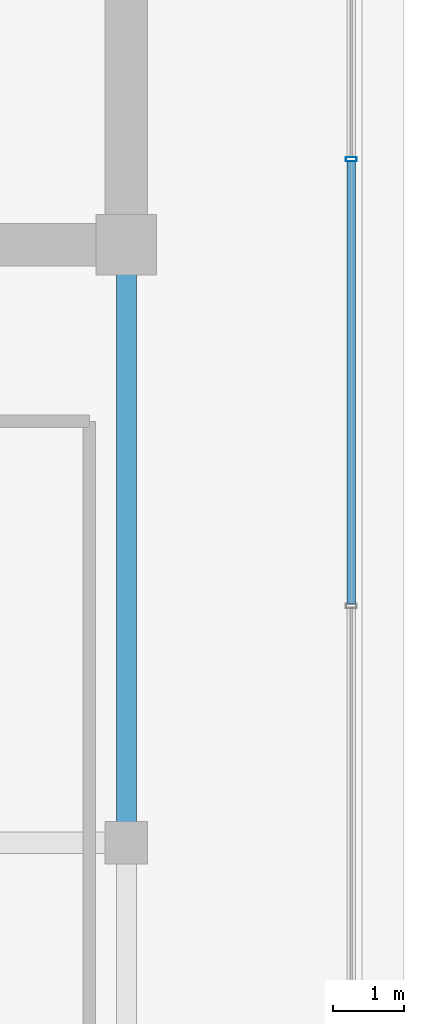
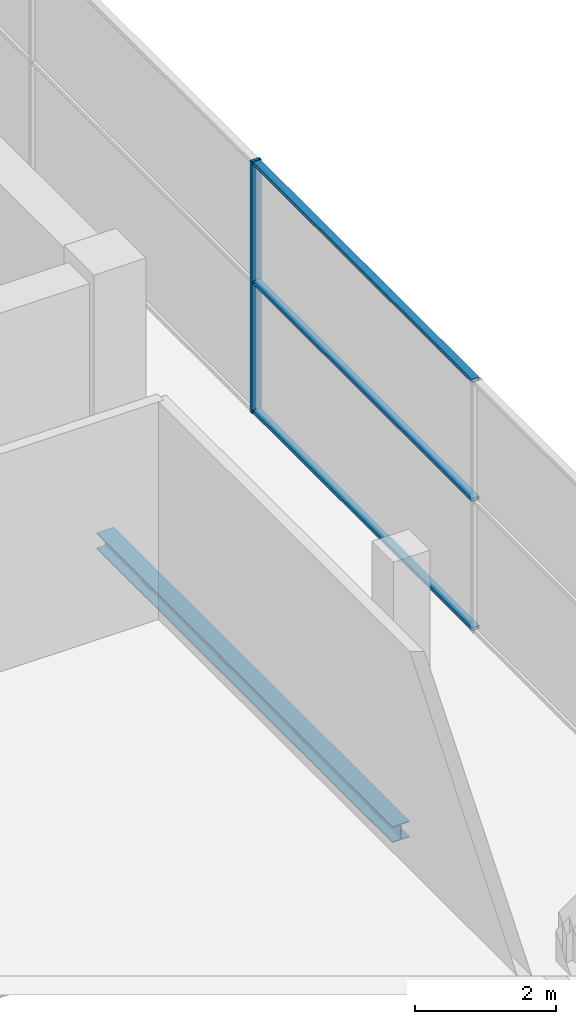
# One storey, part 20 of 27: 4 members, 1 beam, 1 element without a shape of its own.
"""IFC4 building model written with IfcOpenShell, lengths in metres."""

from ifc_helpers import new_model, si_unit, direction, frame, origin, origin_2d, place, context, subcontext, project, spatial, hollow_rectangle, i_section, extrude, source, transform, mapped, material, layer, layer_set, material_profile, profile_set, type_object, element, aggregate, save


model = new_model("IFC4")

# Units and contexts
model_context = context("Model", 3, precision=1e-05, world=origin(), true_north=direction((0.0, 1.0)))
body_context = subcontext(model_context, "Body", "Model", "MODEL_VIEW")
ifc_project = project(units=[si_unit("LENGTHUNIT", "METRE"), si_unit("AREAUNIT", "SQUARE_METRE"), si_unit("VOLUMEUNIT", "CUBIC_METRE"), si_unit("PLANEANGLEUNIT", "RADIAN"), si_unit("MASSUNIT", "GRAM", prefix="KILO")], contexts=[model_context])

# Site, building, storey
site_placement = place(None, origin())
site = spatial("IfcSite", under=ifc_project, at=site_placement, CompositionType="ELEMENT")
building_placement = place(site_placement, origin())
building = spatial("IfcBuilding", under=site, at=building_placement, Name="Zarnakvel Exchange Tower", CompositionType="ELEMENT")
storey_placement = place(building_placement, frame((0.0, 0.0, 294.60009765625)))
storey = spatial("IfcBuildingStorey", under=building, at=storey_placement, Name="Crown L82", CompositionType="ELEMENT", Elevation=294.60009765625)

# Beam
ifc_material_1 = material(Name="Steel S355", Category="steel")
ifc_material_profile_1 = material_profile(ifc_material_1, i_section(OverallWidth=0.280029296875, OverallDepth=0.280029296875, WebThickness=0.010498046875, FlangeThickness=0.01806640625, FilletRadius=0.02392578125, at=origin_2d()))
ifc_profile_set_1 = profile_set([ifc_material_profile_1], Name="Steel S355")
beam_type = type_object("IfcBeamType", Name="SP-04", PredefinedType="SPANDREL", material=ifc_profile_set_1)
beam_placement = place(storey_placement, frame((14.39990234375, -9.60009765625, -0.360107421875), z_axis=(0.0, 1.0, 0.0), x_axis=(-1.0, 0.0, 0.0)))
element("IfcBeam", 1, at=beam_placement, inside=storey, type_object=beam_type, Name="Crown L82 Tower N-S Frame Beam", PredefinedType="SPANDREL", context=body_context, shape_type="SweptSolid", body=[
    extrude(i_section(OverallWidth=0.280029296875, OverallDepth=0.280029296875, WebThickness=0.010498046875, FlangeThickness=0.01806640625, FilletRadius=0.02392578125, at=origin_2d()), origin(), (0.0, 0.0, 1.0), 8.400146484375),
])

# Curtain wall, members
ifc_material_2 = material(Name="Architectural Bronze Anodised Aluminium", Category="aluminium")
ifc_layer = layer(ifc_material_2, 0.14990234375)
ifc_layer_set = layer_set([ifc_layer], Name="Architectural Bronze Anodised Aluminium")
curtain_wall_type = type_object("IfcCurtainWallType", Name="CW-07", PredefinedType="NOTDEFINED", material=ifc_layer_set)
curtain_wall_placement = place(storey_placement, origin())
curtain_wall = element("IfcCurtainWall", 2, at=curtain_wall_placement, inside=storey, type_object=curtain_wall_type, Name="Crown L82 Curtain Wall CW-Crown L82-E (CW-07)", PredefinedType="NOTDEFINED")
ifc_material_profile_2 = material_profile(ifc_material_2, hollow_rectangle(XDim=0.14990234375, YDim=0.06005859375, WallThickness=0.00390625, at=origin_2d()))
ifc_profile_set_2 = profile_set([ifc_material_profile_2], Name="Architectural Bronze Anodised Aluminium")
member_type_1 = type_object("IfcMemberType", Name="CWM-07", PredefinedType="MULLION", material=ifc_profile_set_2)
shared_shape_1 = source(origin(), body_context, "Body", "SweptSolid", [
    extrude(hollow_rectangle(XDim=0.14990234375, YDim=0.06005859375, WallThickness=0.00390625, at=origin_2d()), origin(), (0.0, 0.0, 1.0), 4.35986328125),
])
member_1_placement = place(storey_placement, frame((17.56005859375, 0.0, 0.0), z_axis=(0.0, 0.0, 1.0), x_axis=(-1.0, 0.0, 0.0)))
member_1 = element("IfcMember", 3, at=member_1_placement, type_object=member_type_1, Name="CW-07 mullion 3", PredefinedType="MULLION", context=body_context, shape_type="MappedRepresentation", body=[
    mapped(shared_shape_1, transform((0.0, 0.0, 0.0), x_axis=(1.0, 0.0, 0.0), y_axis=(0.0, 1.0, 0.0), z_axis=(0.0, 0.0, 1.0), scale=1.0)),
])
ifc_material_profile_3 = material_profile(ifc_material_2, hollow_rectangle(XDim=0.1201171875, YDim=0.06005859375, WallThickness=0.00390625, at=origin_2d()))
ifc_profile_set_3 = profile_set([ifc_material_profile_3], Name="Architectural Bronze Anodised Aluminium")
member_type_2 = type_object("IfcMemberType", Name="CWT-07", PredefinedType="USERDEFINED", material=ifc_profile_set_3)
shared_shape_2 = source(origin(), body_context, "Body", "SweptSolid", [
    extrude(hollow_rectangle(XDim=0.1201171875, YDim=0.06005859375, WallThickness=0.00390625, at=origin_2d()), origin(), (0.0, 0.0, 1.0), 6.215087890625),
])
member_2_placement = place(storey_placement, frame((17.56005859375, -6.2451171875, 0.02978515625), z_axis=(0.0, 1.0, 0.0), x_axis=(-1.0, 0.0, 0.0)))
member_2 = element("IfcMember", 4, at=member_2_placement, type_object=member_type_2, Name="CW-07 transom 2.1", ObjectType="TRANSOM", PredefinedType="USERDEFINED", context=body_context, shape_type="MappedRepresentation", body=[
    mapped(shared_shape_2, transform((0.0, 0.0, 0.0), x_axis=(1.0, 0.0, 0.0), y_axis=(0.0, 1.0, 0.0), z_axis=(0.0, 0.0, 1.0), scale=1.0)),
])
member_3_placement = place(storey_placement, frame((17.56005859375, -6.2451171875, 2.26708984375), z_axis=(0.0, 1.0, 0.0), x_axis=(-1.0, 0.0, 0.0)))
member_3 = element("IfcMember", 5, at=member_3_placement, type_object=member_type_2, Name="CW-07 transom 2.2", ObjectType="TRANSOM", PredefinedType="USERDEFINED", context=body_context, shape_type="MappedRepresentation", body=[
    mapped(shared_shape_2, transform((0.0, 0.0, 0.0), x_axis=(1.0, 0.0, 0.0), y_axis=(0.0, 1.0, 0.0), z_axis=(0.0, 0.0, 1.0), scale=1.0)),
])
member_4_placement = place(storey_placement, frame((17.56005859375, -6.2451171875, 4.329833984375), z_axis=(0.0, 1.0, 0.0), x_axis=(-1.0, 0.0, 0.0)))
member_4 = element("IfcMember", 6, at=member_4_placement, type_object=member_type_2, Name="CW-07 transom 2.3", ObjectType="TRANSOM", PredefinedType="USERDEFINED", context=body_context, shape_type="MappedRepresentation", body=[
    mapped(shared_shape_2, transform((0.0, 0.0, 0.0), x_axis=(1.0, 0.0, 0.0), y_axis=(0.0, 1.0, 0.0), z_axis=(0.0, 0.0, 1.0), scale=1.0)),
])
aggregate(curtain_wall, [member_1, member_2, member_3, member_4])

save(model, "model.ifc")
